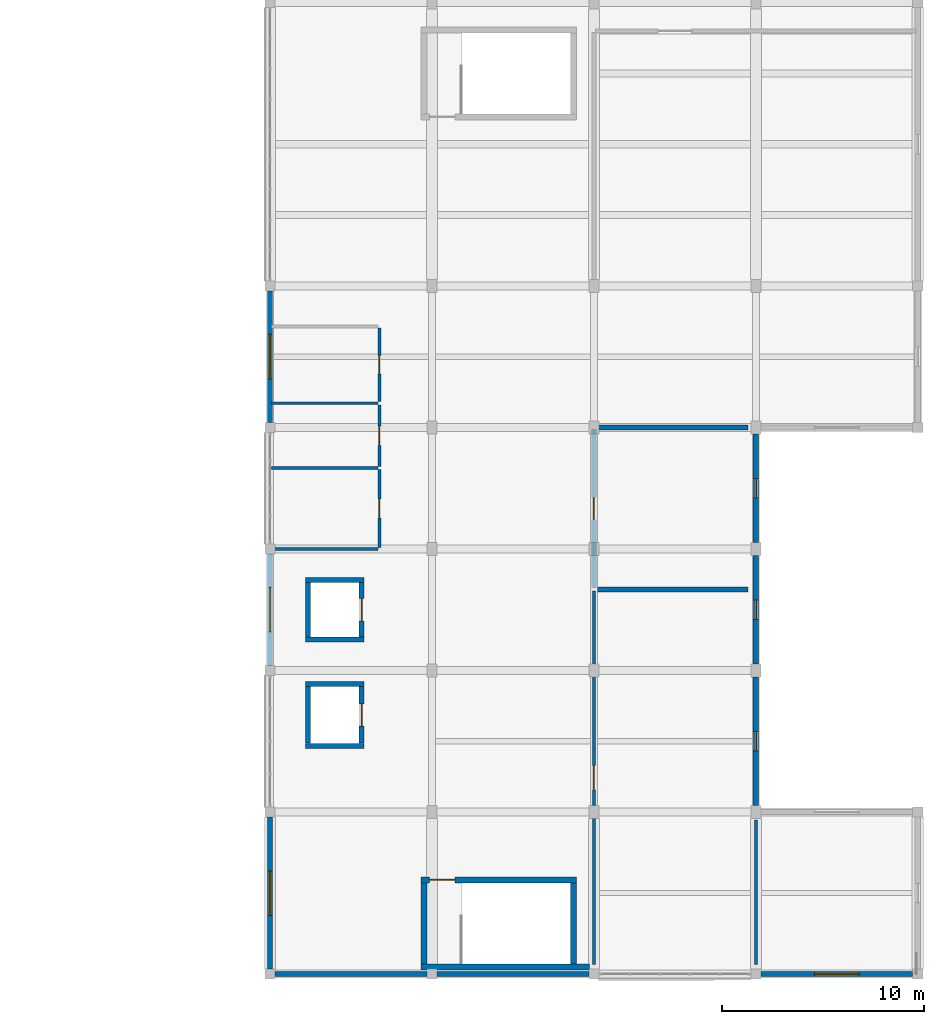
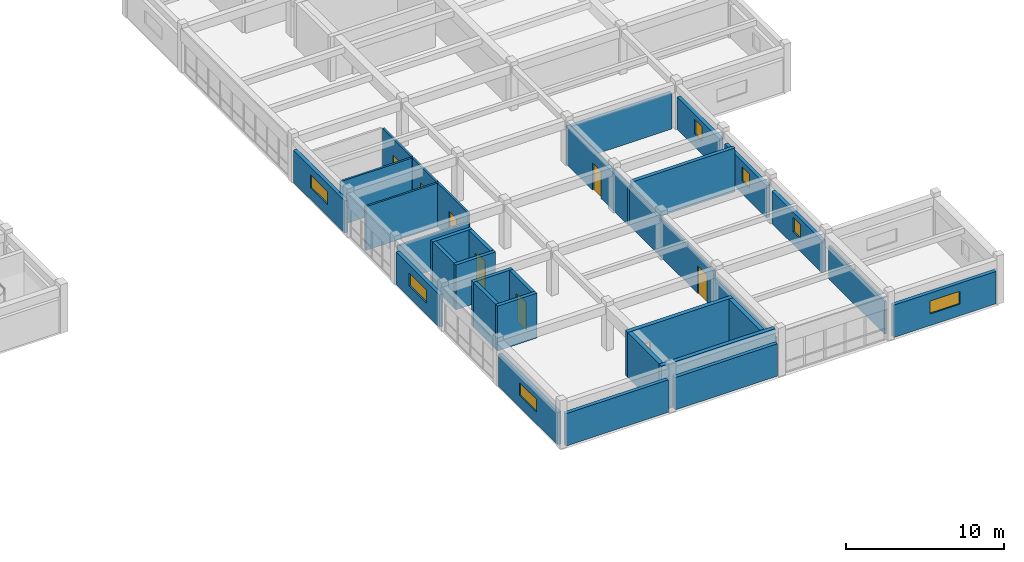
# One storey, part 12 of 17: 33 walls, 8 doors, 7 windows, 15 openings.
"""IFC4 building model written with IfcOpenShell, lengths in metres."""

from ifc_helpers import new_model, si_unit, direction, frame, frame_2d, origin, place, context, subcontext, project, spatial, rectangle, extrude, material, layer, layer_set, type_object, element, fill, save


model = new_model("IFC4")

# Units and contexts
model_context = context("Model", 3, precision=1e-05, world=origin(), true_north=direction((0.0, 1.0)))
body_context = subcontext(model_context, "Body", "Model", "MODEL_VIEW")
ifc_project = project(units=[si_unit("LENGTHUNIT", "METRE"), si_unit("AREAUNIT", "SQUARE_METRE"), si_unit("VOLUMEUNIT", "CUBIC_METRE"), si_unit("PLANEANGLEUNIT", "RADIAN"), si_unit("MASSUNIT", "GRAM", prefix="KILO")], contexts=[model_context])

# Site, building, storey
site_placement = place(None, origin())
site = spatial("IfcSite", under=ifc_project, at=site_placement, CompositionType="ELEMENT")
building_placement = place(site_placement, origin())
building = spatial("IfcBuilding", under=site, at=building_placement, Name="Naurynzar Civic Courthouse", CompositionType="ELEMENT")
storey_placement = place(building_placement, frame((0.0, 0.0, 29.550048828125)))
storey = spatial("IfcBuildingStorey", under=building, at=storey_placement, Name="L08", CompositionType="ELEMENT", Elevation=29.550048828125)

# Wall, opening, door
ifc_material_1 = material(Name="Concrete C40/50", Category="concrete")
ifc_layer_1 = layer(ifc_material_1, 0.300048828125)
ifc_layer_set_1 = layer_set([ifc_layer_1], Name="WL-CORE-300")
wall_type_1 = type_object("IfcWallType", Name="WL-CORE-300", PredefinedType="SHEAR", material=ifc_layer_set_1)
wall_1_placement = place(storey_placement, frame((145.14990234375, 21.64990234375, 0.0), z_axis=(0.0, 0.0, 1.0), x_axis=(-1.0, 0.0, 0.0)))
wall_1 = element("IfcWall", 1, at=wall_1_placement, inside=storey, type_object=wall_type_1, Name="Stair ST-V5A enclosure wall north L08", PredefinedType="SHEAR", context=body_context, shape_type="SweptSolid", body=[
    extrude(rectangle(XDim=7.699951171875, YDim=0.300048828125, at=frame_2d((3.85009765625, 0.0))), origin(), (0.0, 0.0, 1.0), 3.469970703125),
])
opening_1_placement = place(wall_1_placement, frame((6.02490234375, 0.0, 0.0)))
opening_1 = element("IfcOpeningElement", 2, at=opening_1_placement, cuts=wall_1, Name="Opening SD-067", PredefinedType="OPENING", context=body_context, shape_type="SweptSolid", body=[
    extrude(rectangle(XDim=1.25, YDim=2.14990234375, at=frame_2d((0.625, 1.074951171875))), frame((0.0, 0.159912109375, 0.0), z_axis=(0.0, -1.0, 0.0), x_axis=(1.0, 0.0, 0.0)), (0.0, 0.0, 1.0), 0.320068359375),
])
ifc_material_2 = material(Name="Powder-Coated Galvanised Steel", Category="steel")
door_type_1 = type_object("IfcDoorType", Name="DR-STAIR-1250x2150", OperationType="NOTDEFINED", PredefinedType="DOOR", material=ifc_material_2)
door_1_placement = place(opening_1_placement, origin())
door_1 = element("IfcDoor", 3, at=door_1_placement, inside=storey, type_object=door_type_1, Name="Stair ST-V5A fire door L08", OperationType="SINGLE_SWING_LEFT", OverallHeight=2.14990234375, OverallWidth=1.25, PredefinedType="DOOR", context=body_context, shape_type="SweptSolid", body=[
    extrude(rectangle(XDim=1.25, YDim=2.14990234375, at=frame_2d((0.625, 1.074951171875))), frame((0.0, 0.02490234375, 0.0), z_axis=(0.0, -1.0, 0.0), x_axis=(1.0, 0.0, 0.0)), (0.0, 0.0, 1.0), 0.050048828125),
])
fill(opening_1, door_1)

# Walls
wall_2_placement = place(storey_placement, frame((137.449951171875, 17.35009765625, 0.0), z_axis=(0.0, 0.0, 1.0), x_axis=(1.0, 0.0, 0.0)))
element("IfcWall", 4, at=wall_2_placement, inside=storey, type_object=wall_type_1, Name="Stair ST-V5A enclosure wall south L08", PredefinedType="SHEAR", context=body_context, shape_type="SweptSolid", body=[
    extrude(rectangle(XDim=8.320068359375, YDim=0.300048828125, at=frame_2d((4.16015625, 0.0))), origin(), (0.0, 0.0, 1.0), 3.469970703125),
])
for number, where, z_axis, x_axis, name in (
    (5, (137.60009765625, 21.4951171875, 0.0), (0.0, 0.0, 1.0), (0.0, -1.0, 0.0), "Stair ST-V5A enclosure wall west L08"),
    (6, (145.0, 17.5048828125, 0.0), (0.0, 0.0, 1.0), (0.0, 1.0, 0.0), "Stair ST-V5A enclosure wall east L08"),
):
    element("IfcWall", number, at=place(storey_placement, frame(where, z_axis=z_axis, x_axis=x_axis)), inside=storey, type_object=wall_type_1, Name=name, PredefinedType="SHEAR", context=body_context, shape_type="SweptSolid", body=[
        extrude(rectangle(XDim=3.990234375, YDim=0.300048828125, at=frame_2d((1.9951171875, 0.0))), origin(), (0.0, 0.0, 1.0), 3.469970703125),
    ])
ifc_material_3 = material(Name="Concrete C40/50", Category="concrete")
ifc_layer_2 = layer(ifc_material_3, 0.260009765625)
ifc_layer_set_2 = layer_set([ifc_layer_2], Name="WL-CUS-260")
wall_type_2 = type_object("IfcWallType", Name="WL-CUS-260", PredefinedType="SOLIDWALL", material=ifc_layer_set_2)
wall_3_placement = place(storey_placement, frame((146.080078125, 36.0, 0.0), z_axis=(0.0, 0.0, 1.0), x_axis=(1.0, 0.0, 0.0)))
element("IfcWall", 7, at=wall_3_placement, inside=storey, type_object=wall_type_2, Name="V5 interior partition L08.764", PredefinedType="SOLIDWALL", context=body_context, shape_type="SweptSolid", body=[
    extrude(rectangle(XDim=7.52001953125, YDim=0.260009765625, at=frame_2d((3.760009765625, 0.0))), origin(), (0.0, 0.0, 1.0), 3.389892578125),
])
wall_4_placement = place(storey_placement, frame((146.080078125, 44.0, 0.0), z_axis=(0.0, 0.0, 1.0), x_axis=(1.0, 0.0, 0.0)))
element("IfcWall", 8, at=wall_4_placement, inside=storey, type_object=wall_type_2, Name="V5 interior partition L08.767", PredefinedType="SOLIDWALL", context=body_context, shape_type="SweptSolid", body=[
    extrude(rectangle(XDim=7.52001953125, YDim=0.260009765625, at=frame_2d((3.760009765625, 0.0))), origin(), (0.0, 0.0, 1.0), 2.780029296875),
])

# Wall, opening, door
wall_5_placement = place(storey_placement, frame((146.0, 36.080078125, 0.0), z_axis=(0.0, 0.0, 1.0), x_axis=(0.0, 1.0, 0.0)))
wall_5 = element("IfcWall", 9, at=wall_5_placement, inside=storey, type_object=wall_type_2, Name="V5 interior partition L08.805", PredefinedType="SOLIDWALL", context=body_context, shape_type="SweptSolid", body=[
    extrude(rectangle(XDim=7.83984375, YDim=0.260009765625, at=frame_2d((3.919921875, 0.0))), origin(), (0.0, 0.0, 1.0), 2.929931640625),
])
opening_2_placement = place(wall_5_placement, frame((3.3798828125, 0.0, 0.0)))
opening_2 = element("IfcOpeningElement", 10, at=opening_2_placement, cuts=wall_5, Name="Opening D-365", PredefinedType="OPENING", context=body_context, shape_type="SweptSolid", body=[
    extrude(rectangle(XDim=1.080078125, YDim=2.10009765625, at=frame_2d((0.5400390625, 1.050048828125))), frame((0.0, 0.139892578125, 0.0), z_axis=(0.0, -1.0, 0.0), x_axis=(1.0, 0.0, 0.0)), (0.0, 0.0, 1.0), 0.280029296875),
])
ifc_material_4 = material(Name="Powder-Coated Galvanised Steel", Category="steel")
door_type_2 = type_object("IfcDoorType", Name="DR-CUS-CELL-1080x2100", OperationType="NOTDEFINED", PredefinedType="DOOR", material=ifc_material_4)
door_2_placement = place(opening_2_placement, origin())
door_2 = element("IfcDoor", 11, at=door_2_placement, inside=storey, type_object=door_type_2, Name="Interior door D-365 (Bailiff Command and Escort Briefing Hall)", OperationType="SINGLE_SWING_LEFT", OverallHeight=2.10009765625, OverallWidth=1.080078125, PredefinedType="DOOR", context=body_context, shape_type="SweptSolid", body=[
    extrude(rectangle(XDim=1.080078125, YDim=2.10009765625, at=frame_2d((0.5400390625, 1.050048828125))), frame((0.0, 0.02490234375, 0.0), z_axis=(0.0, -1.0, 0.0), x_axis=(1.0, 0.0, 0.0)), (0.0, 0.0, 1.0), 0.050048828125),
])
fill(opening_2, door_2)

# Wall, opening, window
ifc_material_5 = material(Name="Precast concrete C40/50", Category="concrete")
ifc_layer_3 = layer(ifc_material_5, 0.260009765625)
ifc_layer_set_3 = layer_set([ifc_layer_3], Name="WL-EXT-260")
wall_type_3 = type_object("IfcWallType", Name="WL-EXT-260", PredefinedType="SOLIDWALL", material=ifc_layer_set_3)
wall_6_placement = place(storey_placement, frame((130.0, 17.25, 0.0), z_axis=(0.0, 0.0, 1.0), x_axis=(0.0, 1.0, 0.0)))
wall_6 = element("IfcWall", 12, at=wall_6_placement, inside=storey, type_object=wall_type_3, Name="V5 exterior wall west L08.1.1", PredefinedType="SOLIDWALL", context=body_context, shape_type="SweptSolid", body=[
    extrude(rectangle(XDim=7.5, YDim=0.260009765625, at=frame_2d((3.75, 0.0))), origin(), (0.0, 0.0, 1.0), 2.510009765625),
])
opening_3_placement = place(wall_6_placement, frame((2.64990234375, 0.0, 0.89990234375)))
opening_3 = element("IfcOpeningElement", 13, at=opening_3_placement, cuts=wall_6, Name="Opening WN-18", PredefinedType="OPENING", context=body_context, shape_type="SweptSolid", body=[
    extrude(rectangle(XDim=2.199951171875, YDim=1.0, at=frame_2d((1.10009765625, 0.5))), frame((0.0, 0.139892578125, 0.0), z_axis=(0.0, -1.0, 0.0), x_axis=(1.0, 0.0, 0.0)), (0.0, 0.0, 1.0), 0.280029296875),
])
ifc_material_6 = material(Name="Tempered Laminated Low-E Glass", Category="glass")
window_type_1 = type_object("IfcWindowType", Name="WIN-CLER-2200x1000", PartitioningType="DOUBLE_PANEL_VERTICAL", PredefinedType="WINDOW", material=ifc_material_6)
window_1_placement = place(opening_3_placement, origin())
window_1 = element("IfcWindow", 14, at=window_1_placement, inside=storey, type_object=window_type_1, Name="V5 window 365 L08", OverallHeight=1.0, OverallWidth=2.199951171875, PartitioningType="SINGLE_PANEL", PredefinedType="WINDOW", context=body_context, shape_type="SweptSolid", body=[
    extrude(rectangle(XDim=2.199951171875, YDim=1.0, at=frame_2d((1.10009765625, 0.5))), frame((0.0, 0.030029296875, 0.0), z_axis=(0.0, -1.0, 0.0), x_axis=(1.0, 0.0, 0.0)), (0.0, 0.0, 1.0), 0.06005859375),
])
fill(opening_3, window_1)

wall_7_placement = place(storey_placement, frame((130.0, 32.25, 0.0), z_axis=(0.0, 0.0, 1.0), x_axis=(0.0, 1.0, 0.0)))
wall_7 = element("IfcWall", 15, at=wall_7_placement, inside=storey, type_object=wall_type_3, Name="V5 exterior wall west L08.3.1", PredefinedType="SOLIDWALL", context=body_context, shape_type="SweptSolid", body=[
    extrude(rectangle(XDim=5.5, YDim=0.260009765625, at=frame_2d((2.75, 0.0))), origin(), (0.0, 0.0, 1.0), 2.510009765625),
])
opening_4_placement = place(wall_7_placement, frame((1.64990234375, 0.0, 0.89990234375)))
opening_4 = element("IfcOpeningElement", 16, at=opening_4_placement, cuts=wall_7, Name="Opening WN-18", PredefinedType="OPENING", context=body_context, shape_type="SweptSolid", body=[
    extrude(rectangle(XDim=2.199951171875, YDim=1.0, at=frame_2d((1.10009765625, 0.5))), frame((0.0, 0.139892578125, 0.0), z_axis=(0.0, -1.0, 0.0), x_axis=(1.0, 0.0, 0.0)), (0.0, 0.0, 1.0), 0.280029296875),
])
window_2_placement = place(opening_4_placement, origin())
window_2 = element("IfcWindow", 17, at=window_2_placement, inside=storey, type_object=window_type_1, Name="V5 window 366 L08", OverallHeight=1.0, OverallWidth=2.199951171875, PartitioningType="SINGLE_PANEL", PredefinedType="WINDOW", context=body_context, shape_type="SweptSolid", body=[
    extrude(rectangle(XDim=2.199951171875, YDim=1.0, at=frame_2d((1.10009765625, 0.5))), frame((0.0, 0.030029296875, 0.0), z_axis=(0.0, -1.0, 0.0), x_axis=(1.0, 0.0, 0.0)), (0.0, 0.0, 1.0), 0.06005859375),
])
fill(opening_4, window_2)

wall_8_placement = place(storey_placement, frame((130.0, 44.25, 0.0), z_axis=(0.0, 0.0, 1.0), x_axis=(0.0, 1.0, 0.0)))
wall_8 = element("IfcWall", 18, at=wall_8_placement, inside=storey, type_object=wall_type_3, Name="V5 exterior wall west L08.5.1", PredefinedType="SOLIDWALL", context=body_context, shape_type="SweptSolid", body=[
    extrude(rectangle(XDim=6.5, YDim=0.260009765625, at=frame_2d((3.25, 0.0))), origin(), (0.0, 0.0, 1.0), 2.510009765625),
])
opening_5_placement = place(wall_8_placement, frame((2.14990234375, 0.0, 0.89990234375)))
opening_5 = element("IfcOpeningElement", 19, at=opening_5_placement, cuts=wall_8, Name="Opening WN-18", PredefinedType="OPENING", context=body_context, shape_type="SweptSolid", body=[
    extrude(rectangle(XDim=2.199951171875, YDim=1.0, at=frame_2d((1.10009765625, 0.5))), frame((0.0, 0.139892578125, 0.0), z_axis=(0.0, -1.0, 0.0), x_axis=(1.0, 0.0, 0.0)), (0.0, 0.0, 1.0), 0.280029296875),
])
window_3_placement = place(opening_5_placement, origin())
window_3 = element("IfcWindow", 20, at=window_3_placement, inside=storey, type_object=window_type_1, Name="V5 window 367 L08", OverallHeight=1.0, OverallWidth=2.199951171875, PartitioningType="SINGLE_PANEL", PredefinedType="WINDOW", context=body_context, shape_type="SweptSolid", body=[
    extrude(rectangle(XDim=2.199951171875, YDim=1.0, at=frame_2d((1.10009765625, 0.5))), frame((0.0, 0.030029296875, 0.0), z_axis=(0.0, -1.0, 0.0), x_axis=(1.0, 0.0, 0.0)), (0.0, 0.0, 1.0), 0.06005859375),
])
fill(opening_5, window_3)

wall_9_placement = place(storey_placement, frame((154.0, 43.675048828125, 0.0), z_axis=(0.0, 0.0, 1.0), x_axis=(0.0, -1.0, 0.0)))
wall_9 = element("IfcWall", 21, at=wall_9_placement, inside=storey, type_object=wall_type_3, Name="V5 exterior wall notch_w L08.1.1", PredefinedType="SOLIDWALL", context=body_context, shape_type="SweptSolid", body=[
    extrude(rectangle(XDim=5.35009765625, YDim=0.260009765625, at=frame_2d((2.675048828125, 0.0))), origin(), (0.0, 0.0, 1.0), 2.510009765625),
])
opening_6_placement = place(wall_9_placement, frame((2.199951171875, 0.0, 1.0)))
opening_6 = element("IfcOpeningElement", 22, at=opening_6_placement, cuts=wall_9, Name="Opening WN-16", PredefinedType="OPENING", context=body_context, shape_type="SweptSolid", body=[
    extrude(rectangle(XDim=0.949951171875, YDim=1.10009765625, at=frame_2d((0.47509765625, 0.550048828125))), frame((0.0, 0.139892578125, 0.0), z_axis=(0.0, -1.0, 0.0), x_axis=(1.0, 0.0, 0.0)), (0.0, 0.0, 1.0), 0.280029296875),
])
ifc_material_7 = material(Name="Tempered Laminated Low-E Glass", Category="glass")
window_type_2 = type_object("IfcWindowType", Name="WIN-SEC-950x1100", PartitioningType="SINGLE_PANEL", PredefinedType="WINDOW", material=ifc_material_7)
window_4_placement = place(opening_6_placement, origin())
window_4 = element("IfcWindow", 23, at=window_4_placement, inside=storey, type_object=window_type_2, Name="V5 window 373 L08", OverallHeight=1.10009765625, OverallWidth=0.949951171875, PartitioningType="SINGLE_PANEL", PredefinedType="WINDOW", context=body_context, shape_type="SweptSolid", body=[
    extrude(rectangle(XDim=0.949951171875, YDim=1.10009765625, at=frame_2d((0.47509765625, 0.550048828125))), frame((0.0, 0.030029296875, 0.0), z_axis=(0.0, -1.0, 0.0), x_axis=(1.0, 0.0, 0.0)), (0.0, 0.0, 1.0), 0.06005859375),
])
fill(opening_6, window_4)

wall_10_placement = place(storey_placement, frame((154.0, 37.675048828125, 0.0), z_axis=(0.0, 0.0, 1.0), x_axis=(0.0, -1.0, 0.0)))
wall_10 = element("IfcWall", 24, at=wall_10_placement, inside=storey, type_object=wall_type_3, Name="V5 exterior wall notch_w L08.2.1", PredefinedType="SOLIDWALL", context=body_context, shape_type="SweptSolid", body=[
    extrude(rectangle(XDim=5.35009765625, YDim=0.260009765625, at=frame_2d((2.675048828125, 0.0))), origin(), (0.0, 0.0, 1.0), 2.510009765625),
])
opening_7_placement = place(wall_10_placement, frame((2.199951171875, 0.0, 1.0)))
opening_7 = element("IfcOpeningElement", 25, at=opening_7_placement, cuts=wall_10, Name="Opening WN-16", PredefinedType="OPENING", context=body_context, shape_type="SweptSolid", body=[
    extrude(rectangle(XDim=0.949951171875, YDim=1.10009765625, at=frame_2d((0.47509765625, 0.550048828125))), frame((0.0, 0.139892578125, 0.0), z_axis=(0.0, -1.0, 0.0), x_axis=(1.0, 0.0, 0.0)), (0.0, 0.0, 1.0), 0.280029296875),
])
window_5_placement = place(opening_7_placement, origin())
window_5 = element("IfcWindow", 26, at=window_5_placement, inside=storey, type_object=window_type_2, Name="V5 window 374 L08", OverallHeight=1.10009765625, OverallWidth=0.949951171875, PartitioningType="SINGLE_PANEL", PredefinedType="WINDOW", context=body_context, shape_type="SweptSolid", body=[
    extrude(rectangle(XDim=0.949951171875, YDim=1.10009765625, at=frame_2d((0.47509765625, 0.550048828125))), frame((0.0, 0.030029296875, 0.0), z_axis=(0.0, -1.0, 0.0), x_axis=(1.0, 0.0, 0.0)), (0.0, 0.0, 1.0), 0.06005859375),
])
fill(opening_7, window_5)

wall_11_placement = place(storey_placement, frame((154.0, 31.675048828125, 0.0), z_axis=(0.0, 0.0, 1.0), x_axis=(0.0, -1.0, 0.0)))
wall_11 = element("IfcWall", 27, at=wall_11_placement, inside=storey, type_object=wall_type_3, Name="V5 exterior wall notch_w L08.3.1", PredefinedType="SOLIDWALL", context=body_context, shape_type="SweptSolid", body=[
    extrude(rectangle(XDim=6.35009765625, YDim=0.260009765625, at=frame_2d((3.175048828125, 0.0))), origin(), (0.0, 0.0, 1.0), 2.510009765625),
])
opening_8_placement = place(wall_11_placement, frame((2.699951171875, 0.0, 1.0)))
opening_8 = element("IfcOpeningElement", 28, at=opening_8_placement, cuts=wall_11, Name="Opening WN-16", PredefinedType="OPENING", context=body_context, shape_type="SweptSolid", body=[
    extrude(rectangle(XDim=0.949951171875, YDim=1.10009765625, at=frame_2d((0.47509765625, 0.550048828125))), frame((0.0, 0.139892578125, 0.0), z_axis=(0.0, -1.0, 0.0), x_axis=(1.0, 0.0, 0.0)), (0.0, 0.0, 1.0), 0.280029296875),
])
window_6_placement = place(opening_8_placement, origin())
window_6 = element("IfcWindow", 29, at=window_6_placement, inside=storey, type_object=window_type_2, Name="V5 window 375 L08", OverallHeight=1.10009765625, OverallWidth=0.949951171875, PartitioningType="SINGLE_PANEL", PredefinedType="WINDOW", context=body_context, shape_type="SweptSolid", body=[
    extrude(rectangle(XDim=0.949951171875, YDim=1.10009765625, at=frame_2d((0.47509765625, 0.550048828125))), frame((0.0, 0.030029296875, 0.0), z_axis=(0.0, -1.0, 0.0), x_axis=(1.0, 0.0, 0.0)), (0.0, 0.0, 1.0), 0.06005859375),
])
fill(opening_8, window_6)

wall_12_placement = place(storey_placement, frame((161.75, 17.0, 0.0), z_axis=(0.0, 0.0, 1.0), x_axis=(-1.0, 0.0, 0.0)))
wall_12 = element("IfcWall", 30, at=wall_12_placement, inside=storey, type_object=wall_type_3, Name="V5 exterior wall south L08.1.1", PredefinedType="SOLIDWALL", context=body_context, shape_type="SweptSolid", body=[
    extrude(rectangle(XDim=7.5, YDim=0.260009765625, at=frame_2d((3.75, 0.0))), origin(), (0.0, 0.0, 1.0), 2.510009765625),
])
opening_9_placement = place(wall_12_placement, frame((2.64990234375, 0.0, 0.89990234375)))
opening_9 = element("IfcOpeningElement", 31, at=opening_9_placement, cuts=wall_12, Name="Opening WN-18", PredefinedType="OPENING", context=body_context, shape_type="SweptSolid", body=[
    extrude(rectangle(XDim=2.199951171875, YDim=1.0, at=frame_2d((1.10009765625, 0.5))), frame((0.0, 0.139892578125, 0.0), z_axis=(0.0, -1.0, 0.0), x_axis=(1.0, 0.0, 0.0)), (0.0, 0.0, 1.0), 0.280029296875),
])
window_7_placement = place(opening_9_placement, origin())
window_7 = element("IfcWindow", 32, at=window_7_placement, inside=storey, type_object=window_type_1, Name="V5 window 378 L08", OverallHeight=1.0, OverallWidth=2.199951171875, PartitioningType="SINGLE_PANEL", PredefinedType="WINDOW", context=body_context, shape_type="SweptSolid", body=[
    extrude(rectangle(XDim=2.199951171875, YDim=1.0, at=frame_2d((1.10009765625, 0.5))), frame((0.0, 0.030029296875, 0.0), z_axis=(0.0, -1.0, 0.0), x_axis=(1.0, 0.0, 0.0)), (0.0, 0.0, 1.0), 0.06005859375),
])
fill(opening_9, window_7)

# Walls
for number, where, z_axis, x_axis, name in (
    (33, (145.75, 17.0, 0.0), (0.0, 0.0, 1.0), (-1.0, 0.0, 0.0), "V5 exterior wall south L08.3.1"),
    (34, (137.75, 17.0, 0.0), (0.0, 0.0, 1.0), (-1.0, 0.0, 0.0), "V5 exterior wall south L08.4.1"),
):
    element("IfcWall", number, at=place(storey_placement, frame(where, z_axis=z_axis, x_axis=x_axis)), inside=storey, type_object=wall_type_3, Name=name, PredefinedType="SOLIDWALL", context=body_context, shape_type="SweptSolid", body=[
        extrude(rectangle(XDim=7.5, YDim=0.260009765625, at=frame_2d((3.75, 0.0))), origin(), (0.0, 0.0, 1.0), 2.510009765625),
    ])
ifc_material_8 = material(Name="Fire-Rated Corridor Gypsum Partition")
ifc_layer_4 = layer(ifc_material_8, 0.14990234375)
ifc_layer_set_4 = layer_set([ifc_layer_4], Name="WL-PART-CORR-150")
wall_type_4 = type_object("IfcWallType", Name="WL-PART-CORR-150", PredefinedType="PARTITIONING", material=ifc_layer_set_4)
wall_13_placement = place(storey_placement, frame((146.0, 17.47998046875, 0.0), z_axis=(0.0, 0.0, 1.0), x_axis=(0.0, 1.0, 0.0)))
element("IfcWall", 35, at=wall_13_placement, inside=storey, type_object=wall_type_4, Name="V5 interior partition L08.804a", PredefinedType="PARTITIONING", context=body_context, shape_type="SweptSolid", body=[
    extrude(rectangle(XDim=7.844970703125, YDim=0.14990234375, at=frame_2d((3.92236328125, 0.0))), origin(), (0.0, 0.0, 1.0), 2.530029296875),
])

# Wall, opening, door
wall_14_placement = place(storey_placement, frame((146.0, 25.324951171875, 0.0), z_axis=(0.0, 0.0, 1.0), x_axis=(0.0, 1.0, 0.0)))
wall_14 = element("IfcWall", 36, at=wall_14_placement, inside=storey, type_object=wall_type_4, Name="V5 interior partition L08.804ab", PredefinedType="PARTITIONING", context=body_context, shape_type="SweptSolid", body=[
    extrude(rectangle(XDim=10.594970703125, YDim=0.14990234375, at=frame_2d((5.29736328125, 0.0))), origin(), (0.0, 0.0, 1.0), 2.929931640625),
])
opening_10_placement = place(wall_14_placement, frame((0.77490234375, 0.0, 0.0)))
opening_10 = element("IfcOpeningElement", 37, at=opening_10_placement, cuts=wall_14, Name="Opening D-364", PredefinedType="OPENING", context=body_context, shape_type="SweptSolid", body=[
    extrude(rectangle(XDim=1.199951171875, YDim=2.14990234375, at=frame_2d((0.60009765625, 1.074951171875))), frame((0.0, 0.0849609375, 0.0), z_axis=(0.0, -1.0, 0.0), x_axis=(1.0, 0.0, 0.0)), (0.0, 0.0, 1.0), 0.169921875),
])
ifc_material_9 = material(Name="Powder-Coated Galvanised Steel", Category="steel")
door_type_3 = type_object("IfcDoorType", Name="DR-ARCH-1200x2150", OperationType="NOTDEFINED", PredefinedType="DOOR", material=ifc_material_9)
door_3_placement = place(opening_10_placement, origin())
door_3 = element("IfcDoor", 38, at=door_3_placement, inside=storey, type_object=door_type_3, Name="Interior door D-364 (Forensic Evidence Vault L08)", OperationType="SINGLE_SWING_RIGHT", OverallHeight=2.14990234375, OverallWidth=1.199951171875, PredefinedType="DOOR", context=body_context, shape_type="SweptSolid", body=[
    extrude(rectangle(XDim=1.199951171875, YDim=2.14990234375, at=frame_2d((0.60009765625, 1.074951171875))), frame((0.0, 0.02490234375, 0.0), z_axis=(0.0, -1.0, 0.0), x_axis=(1.0, 0.0, 0.0)), (0.0, 0.0, 1.0), 0.050048828125),
])
fill(opening_10, door_3)

# Walls
wall_15_placement = place(storey_placement, frame((154.0, 17.47998046875, 0.0), z_axis=(0.0, 0.0, 1.0), x_axis=(0.0, 1.0, 0.0)))
element("IfcWall", 39, at=wall_15_placement, inside=storey, type_object=wall_type_4, Name="V5 interior partition L08.807", PredefinedType="PARTITIONING", context=body_context, shape_type="SweptSolid", body=[
    extrude(rectangle(XDim=7.1201171875, YDim=0.14990234375, at=frame_2d((3.56005859375, 0.0))), origin(), (0.0, 0.0, 1.0), 2.530029296875),
])
ifc_material_10 = material(Name="Moisture-Resistant Plumbing Partition")
ifc_layer_5 = layer(ifc_material_10, 0.139892578125)
ifc_layer_set_5 = layer_set([ifc_layer_5], Name="WL-PART-WC-140")
wall_type_5 = type_object("IfcWallType", Name="WL-PART-WC-140", PredefinedType="PLUMBINGWALL", material=ifc_layer_set_5)
wall_16_placement = place(storey_placement, frame((130.080078125, 38.0, 0.0), z_axis=(0.0, 0.0, 1.0), x_axis=(1.0, 0.0, 0.0)))
element("IfcWall", 40, at=wall_16_placement, inside=storey, type_object=wall_type_5, Name="V5 interior partition L08.765", PredefinedType="PLUMBINGWALL", context=body_context, shape_type="SweptSolid", body=[
    extrude(rectangle(XDim=5.239990234375, YDim=0.139892578125, at=frame_2d((2.6201171875, 0.0))), origin(), (0.0, 0.0, 1.0), 2.780029296875),
])
for number, where, z_axis, x_axis, name in (
    (41, (130.080078125, 42.0, 0.0), (0.0, 0.0, 1.0), (1.0, 0.0, 0.0), "V5 interior partition L08.766"),
    (42, (130.080078125, 45.199951171875, 0.0), (0.0, 0.0, 1.0), (1.0, 0.0, 0.0), "V5 interior partition L08.768"),
):
    element("IfcWall", number, at=place(storey_placement, frame(where, z_axis=z_axis, x_axis=x_axis)), inside=storey, type_object=wall_type_5, Name=name, PredefinedType="PLUMBINGWALL", context=body_context, shape_type="SweptSolid", body=[
        extrude(rectangle(XDim=5.239990234375, YDim=0.139892578125, at=frame_2d((2.6201171875, 0.0))), origin(), (0.0, 0.0, 1.0), 3.389892578125),
    ])

# Wall, opening, door
wall_17_placement = place(storey_placement, frame((135.39990234375, 38.080078125, 0.0), z_axis=(0.0, 0.0, 1.0), x_axis=(0.0, 1.0, 0.0)))
wall_17 = element("IfcWall", 43, at=wall_17_placement, inside=storey, type_object=wall_type_5, Name="V5 interior partition L08.800", PredefinedType="PLUMBINGWALL", context=body_context, shape_type="SweptSolid", body=[
    extrude(rectangle(XDim=3.83984375, YDim=0.139892578125, at=frame_2d((1.919921875, 0.0))), origin(), (0.0, 0.0, 1.0), 3.389892578125),
])
opening_11_placement = place(wall_17_placement, frame((1.4599609375, 0.0, 0.0)))
opening_11 = element("IfcOpeningElement", 44, at=opening_11_placement, cuts=wall_17, Name="Opening D-361", PredefinedType="OPENING", context=body_context, shape_type="SweptSolid", body=[
    extrude(rectangle(XDim=0.919921875, YDim=2.10009765625, at=frame_2d((0.4599609375, 1.050048828125))), frame((0.0, 0.079833984375, 0.0), z_axis=(0.0, -1.0, 0.0), x_axis=(1.0, 0.0, 0.0)), (0.0, 0.0, 1.0), 0.159912109375),
])
ifc_material_11 = material(Name="Acoustic Oak Timber Grade A", Category="wood")
door_type_4 = type_object("IfcDoorType", Name="DR-WC-STD-920x2100", OperationType="NOTDEFINED", PredefinedType="DOOR", material=ifc_material_11)
door_4_placement = place(opening_11_placement, origin())
door_4 = element("IfcDoor", 45, at=door_4_placement, inside=storey, type_object=door_type_4, Name="Interior door D-361 (Public WC V5)", OperationType="SINGLE_SWING_LEFT", OverallHeight=2.10009765625, OverallWidth=0.919921875, PredefinedType="DOOR", context=body_context, shape_type="SweptSolid", body=[
    extrude(rectangle(XDim=0.919921875, YDim=2.10009765625, at=frame_2d((0.4599609375, 1.050048828125))), frame((0.0, 0.02490234375, 0.0), z_axis=(0.0, -1.0, 0.0), x_axis=(1.0, 0.0, 0.0)), (0.0, 0.0, 1.0), 0.050048828125),
])
fill(opening_11, door_4)

wall_18_placement = place(storey_placement, frame((135.39990234375, 42.080078125, 0.0), z_axis=(0.0, 0.0, 1.0), x_axis=(0.0, 1.0, 0.0)))
wall_18 = element("IfcWall", 46, at=wall_18_placement, inside=storey, type_object=wall_type_5, Name="V5 interior partition L08.801", PredefinedType="PLUMBINGWALL", context=body_context, shape_type="SweptSolid", body=[
    extrude(rectangle(XDim=3.0400390625, YDim=0.139892578125, at=frame_2d((1.52001953125, 0.0))), origin(), (0.0, 0.0, 1.0), 3.389892578125),
])
opening_12_placement = place(wall_18_placement, frame((1.0400390625, 0.0, 0.0)))
opening_12 = element("IfcOpeningElement", 47, at=opening_12_placement, cuts=wall_18, Name="Opening D-362", PredefinedType="OPENING", context=body_context, shape_type="SweptSolid", body=[
    extrude(rectangle(XDim=0.9599609375, YDim=2.10009765625, at=frame_2d((0.47998046875, 1.050048828125))), frame((0.0, 0.079833984375, 0.0), z_axis=(0.0, -1.0, 0.0), x_axis=(1.0, 0.0, 0.0)), (0.0, 0.0, 1.0), 0.159912109375),
])
ifc_material_12 = material(Name="Acoustic Oak Timber Grade A", Category="wood")
door_type_5 = type_object("IfcDoorType", Name="DR-WC-ACC-960x2100", OperationType="NOTDEFINED", PredefinedType="DOOR", material=ifc_material_12)
door_5_placement = place(opening_12_placement, origin())
door_5 = element("IfcDoor", 48, at=door_5_placement, inside=storey, type_object=door_type_5, Name="Interior door D-362 (Accessible WC V5)", OperationType="SINGLE_SWING_RIGHT", OverallHeight=2.10009765625, OverallWidth=0.9599609375, PredefinedType="DOOR", context=body_context, shape_type="SweptSolid", body=[
    extrude(rectangle(XDim=0.9599609375, YDim=2.10009765625, at=frame_2d((0.47998046875, 1.050048828125))), frame((0.0, 0.02490234375, 0.0), z_axis=(0.0, -1.0, 0.0), x_axis=(1.0, 0.0, 0.0)), (0.0, 0.0, 1.0), 0.050048828125),
])
fill(opening_12, door_5)

wall_19_placement = place(storey_placement, frame((135.39990234375, 45.280029296875, 0.0), z_axis=(0.0, 0.0, 1.0), x_axis=(0.0, 1.0, 0.0)))
wall_19 = element("IfcWall", 49, at=wall_19_placement, inside=storey, type_object=wall_type_5, Name="V5 interior partition L08.802", PredefinedType="PLUMBINGWALL", context=body_context, shape_type="SweptSolid", body=[
    extrude(rectangle(XDim=3.639892578125, YDim=0.139892578125, at=frame_2d((1.81982421875, 0.0))), origin(), (0.0, 0.0, 1.0), 3.389892578125),
])
opening_13_placement = place(wall_19_placement, frame((1.360107421875, 0.0, 0.0)))
opening_13 = element("IfcOpeningElement", 50, at=opening_13_placement, cuts=wall_19, Name="Opening D-363", PredefinedType="OPENING", context=body_context, shape_type="SweptSolid", body=[
    extrude(rectangle(XDim=0.919921875, YDim=2.10009765625, at=frame_2d((0.4599609375, 1.050048828125))), frame((0.0, 0.079833984375, 0.0), z_axis=(0.0, -1.0, 0.0), x_axis=(1.0, 0.0, 0.0)), (0.0, 0.0, 1.0), 0.159912109375),
])
door_6_placement = place(opening_13_placement, origin())
door_6 = element("IfcDoor", 51, at=door_6_placement, inside=storey, type_object=door_type_4, Name="Interior door D-363 (Staff WC V5)", OperationType="SINGLE_SWING_LEFT", OverallHeight=2.10009765625, OverallWidth=0.919921875, PredefinedType="DOOR", context=body_context, shape_type="SweptSolid", body=[
    extrude(rectangle(XDim=0.919921875, YDim=2.10009765625, at=frame_2d((0.4599609375, 1.050048828125))), frame((0.0, 0.02490234375, 0.0), z_axis=(0.0, -1.0, 0.0), x_axis=(1.0, 0.0, 0.0)), (0.0, 0.0, 1.0), 0.050048828125),
])
fill(opening_13, door_6)

# Walls
ifc_material_13 = material(Name="Concrete C40/50", Category="concrete")
ifc_layer_6 = layer(ifc_material_13, 0.25)
ifc_layer_set_6 = layer_set([ifc_layer_6], Name="WL-SHAFT-250")
wall_type_6 = type_object("IfcWallType", Name="WL-SHAFT-250", PredefinedType="SHEAR", material=ifc_layer_set_6)
for number, where, z_axis, x_axis, name in (
    (52, (131.75, 33.52490234375, 0.0), (0.0, 0.0, 1.0), (1.0, 0.0, 0.0), "Lift LP-05 shaft wall south L08"),
    (53, (134.64990234375, 36.47509765625, 0.0), (0.0, 0.0, 1.0), (-1.0, 0.0, 0.0), "Lift LP-05 shaft wall north L08"),
):
    element("IfcWall", number, at=place(storey_placement, frame(where, z_axis=z_axis, x_axis=x_axis)), inside=storey, type_object=wall_type_6, Name=name, PredefinedType="SHEAR", context=body_context, shape_type="SweptSolid", body=[
        extrude(rectangle(XDim=2.89990234375, YDim=0.25, at=frame_2d((1.449951171875, 0.0))), origin(), (0.0, 0.0, 1.0), 3.469970703125),
    ])
wall_20_placement = place(storey_placement, frame((131.875, 36.344970703125, 0.0), z_axis=(0.0, 0.0, 1.0), x_axis=(0.0, -1.0, 0.0)))
element("IfcWall", 54, at=wall_20_placement, inside=storey, type_object=wall_type_6, Name="Lift LP-05 shaft wall west L08", PredefinedType="SHEAR", context=body_context, shape_type="SweptSolid", body=[
    extrude(rectangle(XDim=2.68994140625, YDim=0.25, at=frame_2d((1.344970703125, 0.0))), origin(), (0.0, 0.0, 1.0), 3.469970703125),
])

# Wall, opening, door
wall_21_placement = place(storey_placement, frame((134.52490234375, 33.655029296875, 0.0), z_axis=(0.0, 0.0, 1.0), x_axis=(0.0, 1.0, 0.0)))
wall_21 = element("IfcWall", 55, at=wall_21_placement, inside=storey, type_object=wall_type_6, Name="Lift LP-05 shaft wall east L08", PredefinedType="SHEAR", context=body_context, shape_type="SweptSolid", body=[
    extrude(rectangle(XDim=2.68994140625, YDim=0.25, at=frame_2d((1.344970703125, 0.0))), origin(), (0.0, 0.0, 1.0), 3.469970703125),
])
opening_14_placement = place(wall_21_placement, frame((0.794921875, 0.0, 0.0)))
opening_14 = element("IfcOpeningElement", 56, at=opening_14_placement, cuts=wall_21, Name="Opening LD-076", PredefinedType="OPENING", context=body_context, shape_type="SweptSolid", body=[
    extrude(rectangle(XDim=1.10009765625, YDim=2.14990234375, at=frame_2d((0.550048828125, 1.074951171875))), frame((0.0, 0.135009765625, 0.0), z_axis=(0.0, -1.0, 0.0), x_axis=(1.0, 0.0, 0.0)), (0.0, 0.0, 1.0), 0.27001953125),
])
ifc_material_14 = material(Name="Brushed Stainless Steel 304", Category="steel")
door_type_6 = type_object("IfcDoorType", Name="DR-LIFT-SLIDE-1100x2150", OperationType="DOUBLE_DOOR_SLIDING", PredefinedType="DOOR", material=ifc_material_14)
door_7_placement = place(opening_14_placement, origin())
door_7 = element("IfcDoor", 57, at=door_7_placement, inside=storey, type_object=door_type_6, Name="Lift LP-05 sliding landing door L08", OperationType="DOUBLE_DOOR_SLIDING", OverallHeight=2.14990234375, OverallWidth=1.10009765625, PredefinedType="DOOR", context=body_context, shape_type="SweptSolid", body=[
    extrude(rectangle(XDim=1.10009765625, YDim=2.14990234375, at=frame_2d((0.550048828125, 1.074951171875))), frame((0.0, 0.02490234375, 0.0), z_axis=(0.0, -1.0, 0.0), x_axis=(1.0, 0.0, 0.0)), (0.0, 0.0, 1.0), 0.050048828125),
])
fill(opening_14, door_7)

# Walls
for number, where, z_axis, x_axis, name in (
    (58, (131.75, 28.27490234375, 0.0), (0.0, 0.0, 1.0), (1.0, 0.0, 0.0), "Lift LP-06 shaft wall south L08"),
    (59, (134.64990234375, 31.324951171875, 0.0), (0.0, 0.0, 1.0), (-1.0, 0.0, 0.0), "Lift LP-06 shaft wall north L08"),
):
    element("IfcWall", number, at=place(storey_placement, frame(where, z_axis=z_axis, x_axis=x_axis)), inside=storey, type_object=wall_type_6, Name=name, PredefinedType="SHEAR", context=body_context, shape_type="SweptSolid", body=[
        extrude(rectangle(XDim=2.89990234375, YDim=0.25, at=frame_2d((1.449951171875, 0.0))), origin(), (0.0, 0.0, 1.0), 3.469970703125),
    ])
wall_22_placement = place(storey_placement, frame((131.875, 31.195068359375, 0.0), z_axis=(0.0, 0.0, 1.0), x_axis=(0.0, -1.0, 0.0)))
element("IfcWall", 60, at=wall_22_placement, inside=storey, type_object=wall_type_6, Name="Lift LP-06 shaft wall west L08", PredefinedType="SHEAR", context=body_context, shape_type="SweptSolid", body=[
    extrude(rectangle(XDim=2.7900390625, YDim=0.25, at=frame_2d((1.39501953125, 0.0))), origin(), (0.0, 0.0, 1.0), 3.469970703125),
])

# Wall, opening, door
wall_23_placement = place(storey_placement, frame((134.52490234375, 28.405029296875, 0.0), z_axis=(0.0, 0.0, 1.0), x_axis=(0.0, 1.0, 0.0)))
wall_23 = element("IfcWall", 61, at=wall_23_placement, inside=storey, type_object=wall_type_6, Name="Lift LP-06 shaft wall east L08", PredefinedType="SHEAR", context=body_context, shape_type="SweptSolid", body=[
    extrude(rectangle(XDim=2.7900390625, YDim=0.25, at=frame_2d((1.39501953125, 0.0))), origin(), (0.0, 0.0, 1.0), 3.469970703125),
])
opening_15_placement = place(wall_23_placement, frame((0.844970703125, 0.0, 0.0)))
opening_15 = element("IfcOpeningElement", 62, at=opening_15_placement, cuts=wall_23, Name="Opening LD-085", PredefinedType="OPENING", context=body_context, shape_type="SweptSolid", body=[
    extrude(rectangle(XDim=1.10009765625, YDim=2.14990234375, at=frame_2d((0.550048828125, 1.074951171875))), frame((0.0, 0.135009765625, 0.0), z_axis=(0.0, -1.0, 0.0), x_axis=(1.0, 0.0, 0.0)), (0.0, 0.0, 1.0), 0.27001953125),
])
door_8_placement = place(opening_15_placement, origin())
door_8 = element("IfcDoor", 63, at=door_8_placement, inside=storey, type_object=door_type_6, Name="Lift LP-06 sliding landing door L08", OperationType="DOUBLE_DOOR_SLIDING", OverallHeight=2.14990234375, OverallWidth=1.10009765625, PredefinedType="DOOR", context=body_context, shape_type="SweptSolid", body=[
    extrude(rectangle(XDim=1.10009765625, YDim=2.14990234375, at=frame_2d((0.550048828125, 1.074951171875))), frame((0.0, 0.02490234375, 0.0), z_axis=(0.0, -1.0, 0.0), x_axis=(1.0, 0.0, 0.0)), (0.0, 0.0, 1.0), 0.050048828125),
])
fill(opening_15, door_8)

save(model, "model.ifc")
